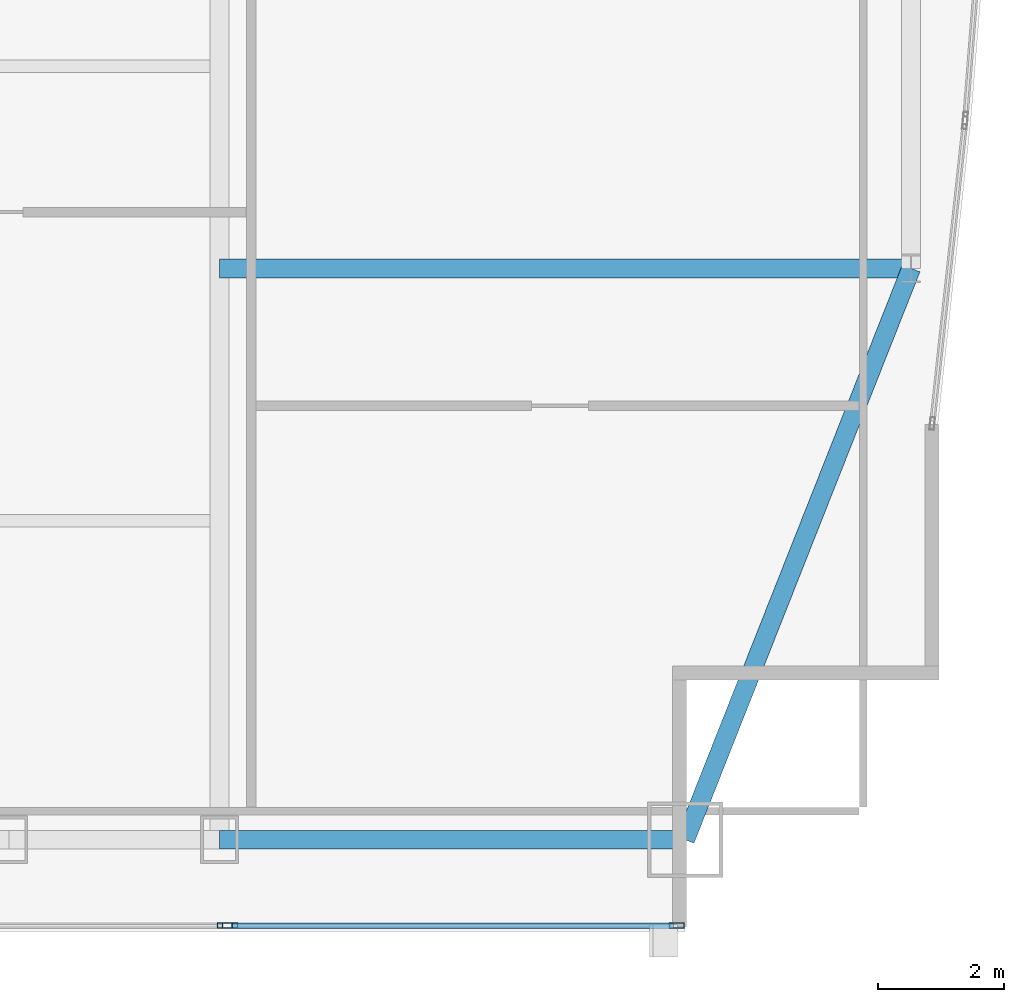
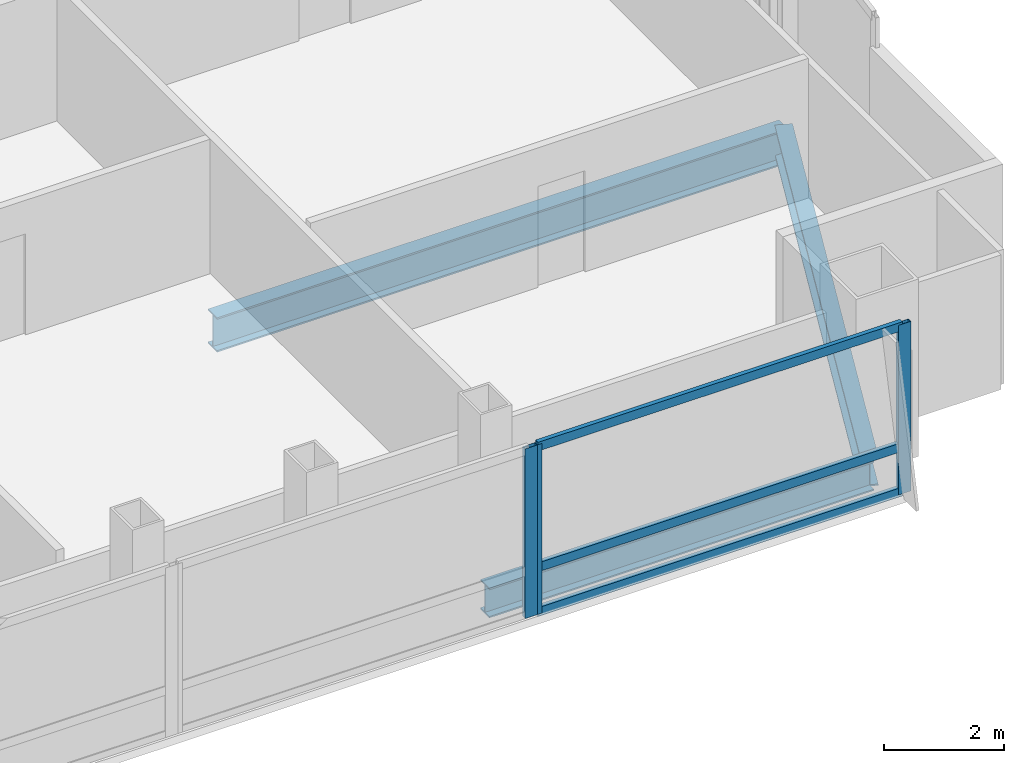
# One storey, part 16 of 32: 6 members, 3 beams, 2 elements without a shape of their own.
"""IFC4 building model written with IfcOpenShell, lengths in metres."""

from ifc_helpers import new_model, si_unit, direction, frame, origin, origin_2d, place, context, subcontext, project, spatial, hollow_rectangle, i_section, extrude, material, material_profile, profile_set, type_object, element, aggregate, save


model = new_model("IFC4")

# Units and contexts
model_context = context("Model", 3, precision=1e-05, world=origin(), true_north=direction((0.0, 1.0)))
body_context = subcontext(model_context, "Body", "Model", "MODEL_VIEW")
ifc_project = project(units=[si_unit("LENGTHUNIT", "METRE"), si_unit("AREAUNIT", "SQUARE_METRE"), si_unit("VOLUMEUNIT", "CUBIC_METRE"), si_unit("PLANEANGLEUNIT", "RADIAN"), si_unit("MASSUNIT", "GRAM", prefix="KILO")], contexts=[model_context])

# Site, building, storey
site_placement = place(None, origin())
site = spatial("IfcSite", under=ifc_project, at=site_placement, CompositionType="ELEMENT")
building_placement = place(site_placement, origin())
building = spatial("IfcBuilding", under=site, at=building_placement, Name="Khoronbel Lancet Exchange", CompositionType="ELEMENT")
storey_placement = place(building_placement, frame((0.0, 0.0, 192.199951171875)))
storey = spatial("IfcBuildingStorey", under=building, at=storey_placement, Name="L48", CompositionType="ELEMENT", Elevation=192.199951171875)

# Beams
ifc_material_1 = material(Name="Steel S355", Category="steel")
ifc_material_profile_1 = material_profile(ifc_material_1, i_section(OverallWidth=0.300048828125, OverallDepth=0.699951171875, WebThickness=0.01708984375, FlangeThickness=0.031982421875, at=origin_2d()), Name="HEB 700")
ifc_profile_set_1 = profile_set([ifc_material_profile_1], Name="Steel S355")
beam_type_1 = type_object("IfcBeamType", Name="BM-BG3", PredefinedType="BEAM", material=ifc_profile_set_1)
beam_1_placement = place(storey_placement, frame((54.675048828125, 19.199951171875, -0.510009765625), z_axis=(1.0, 0.0, 0.0), x_axis=(0.0, 1.0, 0.0)))
element("IfcBeam", 1, at=beam_1_placement, inside=storey, type_object=beam_type_1, Name="Level L48 east lens tie girder LG1E", PredefinedType="BEAM", context=body_context, shape_type="SweptSolid", body=[
    extrude(i_section(OverallWidth=0.300048828125, OverallDepth=0.699951171875, WebThickness=0.01708984375, FlangeThickness=0.031982421875, at=origin_2d()), origin(), (0.0, 0.0, 1.0), 10.954833984375),
])
ifc_material_profile_2 = material_profile(ifc_material_1, i_section(OverallWidth=0.300048828125, OverallDepth=0.60009765625, WebThickness=0.015380859375, FlangeThickness=0.030029296875, at=origin_2d()), Name="HEB 600")
ifc_profile_set_2 = profile_set([ifc_material_profile_2], Name="Steel S355")
beam_type_2 = type_object("IfcBeamType", Name="BM-BSP2", PredefinedType="SPANDREL", material=ifc_profile_set_2)
beam_2_placement = place(storey_placement, frame((54.675048828125, 10.14990234375, -0.4599609375), z_axis=(1.0, 0.0, 0.0), x_axis=(0.0, 1.0, 0.0)))
element("IfcBeam", 2, at=beam_2_placement, inside=storey, type_object=beam_type_2, Name="Level L48 perimeter spandrel beam SP09", PredefinedType="SPANDREL", context=body_context, shape_type="SweptSolid", body=[
    extrude(i_section(OverallWidth=0.300048828125, OverallDepth=0.60009765625, WebThickness=0.015380859375, FlangeThickness=0.030029296875, at=origin_2d()), origin(), (0.0, 0.0, 1.0), 7.375),
])
beam_3_placement = place(storey_placement, frame((62.050048828125, 10.14990234375, -0.4599609375), z_axis=(0.367828403855, 0.929893684954, 0.0), x_axis=(-0.929893684954, 0.367828403855, 0.0)))
element("IfcBeam", 3, at=beam_3_placement, inside=storey, type_object=beam_type_2, Name="Level L48 perimeter spandrel beam SP10", PredefinedType="SPANDREL", context=body_context, shape_type="SweptSolid", body=[
    extrude(i_section(OverallWidth=0.300048828125, OverallDepth=0.60009765625, WebThickness=0.015380859375, FlangeThickness=0.030029296875, at=origin_2d()), origin(), (0.0, 0.0, 1.0), 9.732421875),
])

# Curtain wall, member
ifc_material_2 = material(Name="Low-E Solar Control Insulating Glass", Category="glass")
curtain_wall_type = type_object("IfcCurtainWallType", Name="CW-3", PredefinedType="NOTDEFINED", material=ifc_material_2)
curtain_wall_1_placement = place(storey_placement, origin())
curtain_wall_1 = element("IfcCurtainWall", 4, at=curtain_wall_1_placement, inside=storey, type_object=curtain_wall_type, Name="Unitised curtain wall CW-L48-SEB", PredefinedType="NOTDEFINED")
ifc_material_3 = material(Name="Bronze-Anodised Aluminium 6063-T6", Category="aluminium")
ifc_material_profile_3 = material_profile(ifc_material_3, hollow_rectangle(XDim=0.0849609375, YDim=0.239990234375, WallThickness=0.006103515625, at=origin_2d()), Name="ALU MULLION 85x240")
ifc_profile_set_3 = profile_set([ifc_material_profile_3], Name="Bronze-Anodised Aluminium 6063-T6")
member_type_1 = type_object("IfcMemberType", Name="MEM-CWM1", PredefinedType="MULLION", material=ifc_profile_set_3)
member_1_placement = place(storey_placement, frame((54.757568359375, 8.7900390625, 0.0), z_axis=(0.0, 0.0, 1.0), x_axis=(0.0, 1.0, 0.0)))
member_1 = element("IfcMember", 5, at=member_1_placement, type_object=member_type_1, Name="CW3 mullion 2", PredefinedType="MULLION", context=body_context, shape_type="SweptSolid", body=[
    extrude(hollow_rectangle(XDim=0.0849609375, YDim=0.239990234375, WallThickness=0.006103515625, at=origin_2d()), origin(), (0.0, 0.0, 1.0), 3.43994140625),
])
aggregate(curtain_wall_1, [member_1])

# Curtain wall, members
curtain_wall_2_placement = place(storey_placement, origin())
curtain_wall_2 = element("IfcCurtainWall", 6, at=curtain_wall_2_placement, inside=storey, type_object=curtain_wall_type, Name="Unitised curtain wall CW-L48-SEV", PredefinedType="NOTDEFINED")
member_2_placement = place(storey_placement, frame((54.842529296875, 8.7900390625, 0.0), z_axis=(0.0, 0.0, 1.0), x_axis=(0.0, 1.0, 0.0)))
member_2 = element("IfcMember", 7, at=member_2_placement, type_object=member_type_1, Name="CW3 mullion 1", PredefinedType="MULLION", context=body_context, shape_type="SweptSolid", body=[
    extrude(hollow_rectangle(XDim=0.0849609375, YDim=0.239990234375, WallThickness=0.006103515625, at=origin_2d()), origin(), (0.0, 0.0, 1.0), 3.43994140625),
])
member_3_placement = place(storey_placement, frame((61.91748046875, 8.7900390625, 0.0), z_axis=(0.0, 0.0, 1.0), x_axis=(0.0, 1.0, 0.0)))
member_3 = element("IfcMember", 8, at=member_3_placement, type_object=member_type_1, Name="CW3 mullion 2", PredefinedType="MULLION", context=body_context, shape_type="SweptSolid", body=[
    extrude(hollow_rectangle(XDim=0.0849609375, YDim=0.239990234375, WallThickness=0.006103515625, at=origin_2d()), origin(), (0.0, 0.0, 1.0), 3.43994140625),
])
ifc_material_profile_4 = material_profile(ifc_material_3, hollow_rectangle(XDim=0.0849609375, YDim=0.179931640625, WallThickness=0.0048828125, at=origin_2d()), Name="ALU TRANSOM 85x180")
ifc_profile_set_4 = profile_set([ifc_material_profile_4], Name="Bronze-Anodised Aluminium 6063-T6")
member_type_2 = type_object("IfcMemberType", Name="MEM-CWT1", PredefinedType="USERDEFINED", material=ifc_profile_set_4)
member_4_placement = place(storey_placement, frame((54.885009765625, 8.7900390625, 0.04248046875), z_axis=(1.0, 0.0, 0.0), x_axis=(0.0, 1.0, 0.0)))
member_4 = element("IfcMember", 9, at=member_4_placement, type_object=member_type_2, Name="CW3 transom 1.1", ObjectType="TRANSOM", PredefinedType="USERDEFINED", context=body_context, shape_type="SweptSolid", body=[
    extrude(hollow_rectangle(XDim=0.0849609375, YDim=0.179931640625, WallThickness=0.0048828125, at=origin_2d()), origin(), (0.0, 0.0, 1.0), 6.989990234375),
])
member_5_placement = place(storey_placement, frame((54.885009765625, 8.7900390625, 0.949951171875), z_axis=(1.0, 0.0, 0.0), x_axis=(0.0, 1.0, 0.0)))
member_5 = element("IfcMember", 10, at=member_5_placement, type_object=member_type_2, Name="CW3 transom 1.2", ObjectType="TRANSOM", PredefinedType="USERDEFINED", context=body_context, shape_type="SweptSolid", body=[
    extrude(hollow_rectangle(XDim=0.0849609375, YDim=0.179931640625, WallThickness=0.0048828125, at=origin_2d()), origin(), (0.0, 0.0, 1.0), 6.989990234375),
])
member_6_placement = place(storey_placement, frame((54.885009765625, 8.7900390625, 3.3974609375), z_axis=(1.0, 0.0, 0.0), x_axis=(0.0, 1.0, 0.0)))
member_6 = element("IfcMember", 11, at=member_6_placement, type_object=member_type_2, Name="CW3 transom 1.3", ObjectType="TRANSOM", PredefinedType="USERDEFINED", context=body_context, shape_type="SweptSolid", body=[
    extrude(hollow_rectangle(XDim=0.0849609375, YDim=0.179931640625, WallThickness=0.0048828125, at=origin_2d()), origin(), (0.0, 0.0, 1.0), 6.989990234375),
])
aggregate(curtain_wall_2, [member_2, member_3, member_4, member_5, member_6])

save(model, "model.ifc")
